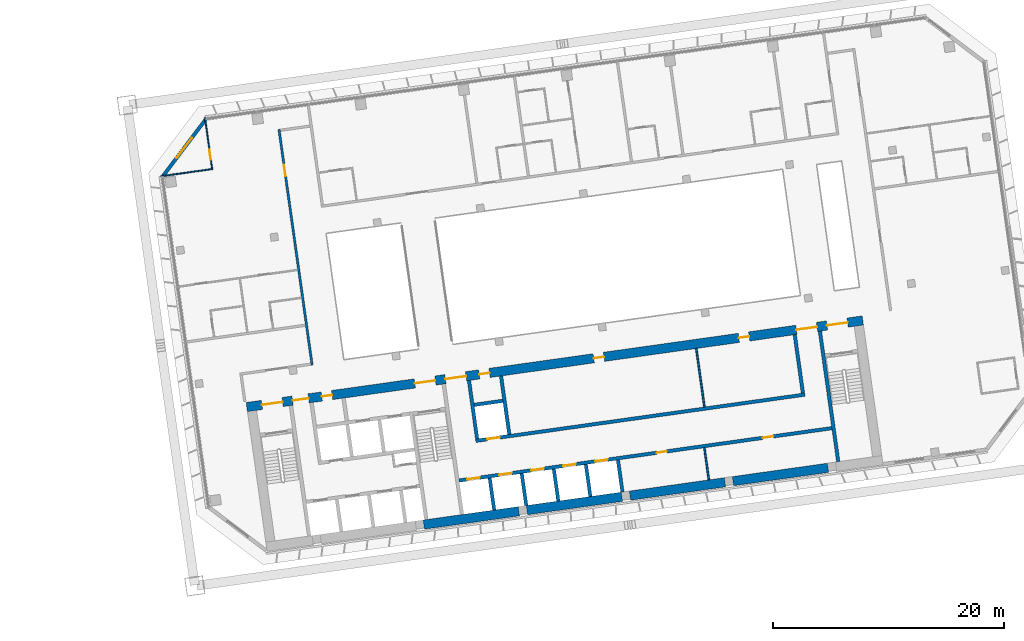
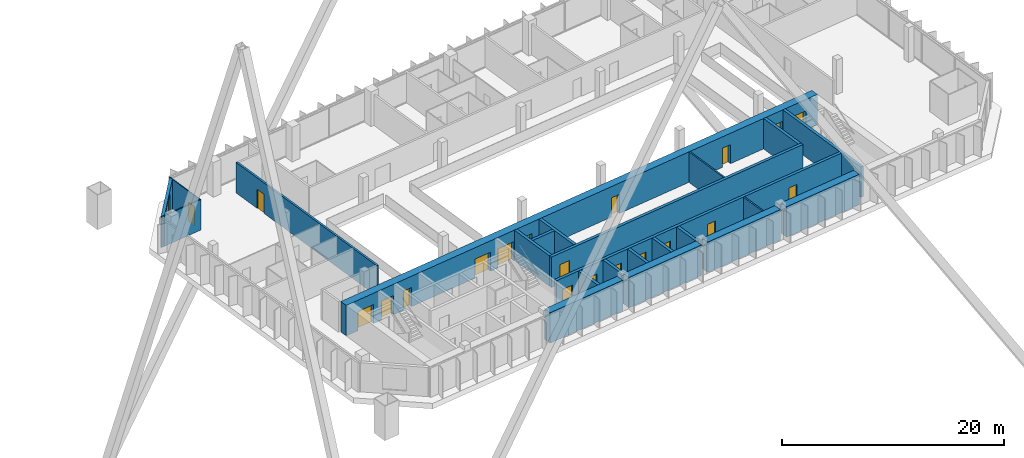
# One storey, part 35 of 41: 23 walls, 20 doors, 1 window, 21 openings.
"""IFC4 building model written with IfcOpenShell, lengths in metres."""

from ifc_helpers import new_model, si_unit, direction, frame, frame_2d, origin, place, context, subcontext, project, spatial, rectangle, extrude, material, layer, layer_set, type_object, element, fill, save


model = new_model("IFC4")

# Units and contexts
model_context = context("Model", 3, precision=1e-05, world=origin(), true_north=direction((0.0, 1.0)))
body_context = subcontext(model_context, "Body", "Model", "MODEL_VIEW")
ifc_project = project(units=[si_unit("LENGTHUNIT", "METRE"), si_unit("AREAUNIT", "SQUARE_METRE"), si_unit("VOLUMEUNIT", "CUBIC_METRE"), si_unit("PLANEANGLEUNIT", "RADIAN"), si_unit("MASSUNIT", "GRAM", prefix="KILO")], contexts=[model_context])

# Site, building, storey
site_placement = place(None, origin())
site = spatial("IfcSite", under=ifc_project, at=site_placement, CompositionType="ELEMENT")
building_placement = place(site_placement, origin())
building = spatial("IfcBuilding", under=site, at=building_placement, Name="Mirante Cascada Hotel Towers", CompositionType="ELEMENT")
storey_placement = place(building_placement, frame((0.0, 0.0, 125.3)))
storey = spatial("IfcBuildingStorey", under=building, at=storey_placement, Name="L28", CompositionType="ELEMENT", Elevation=125.3)

# Wall, opening, door
ifc_material_1 = material(Name="Fire-rated plasterboard on metal studs")
ifc_layer_1 = layer(ifc_material_1, 0.2)
ifc_layer_set_1 = layer_set([ifc_layer_1], Name="Compartment wall 200 EI 120")
wall_type_1 = type_object("IfcWallType", Name="Compartment wall 200 EI 120", PredefinedType="PARTITIONING", material=ifc_layer_set_1)
wall_1_placement = place(storey_placement, frame((38.216, 16.4227, 0.0), z_axis=(0.0, 0.0, 1.0), x_axis=(0.1391749, -0.9902678, 0.0)))
wall_1 = element("IfcWall", 1, at=wall_1_placement, inside=storey, type_object=wall_type_1, Name="Wall 2-L28-28", PredefinedType="PARTITIONING", context=body_context, shape_type="SweptSolid", body=[
    extrude(rectangle(XDim=20.6, YDim=0.2, at=frame_2d((10.3, 0.0))), origin(), (0.0, 0.0, 1.0), 3.35),
])
opening_1_placement = place(wall_1_placement, frame((3.1, 0.0, 0.0)))
opening_1 = element("IfcOpeningElement", 2, at=opening_1_placement, cuts=wall_1, Name="Opening D2-L28-21", PredefinedType="OPENING", context=body_context, shape_type="SweptSolid", body=[
    extrude(rectangle(XDim=1.0, YDim=2.1, at=frame_2d((0.5, 1.05))), frame((0.0, 0.1, 0.0), z_axis=(0.0, -1.0, 0.0), x_axis=(1.0, 0.0, 0.0)), (0.0, 0.0, 1.0), 0.2),
])
ifc_material_2 = material(Name="Fire-rated timber door leaf", Category="wood")
door_type_1 = type_object("IfcDoorType", Name="Entrance door DG1 1000x2100 EI 60", OperationType="SINGLE_SWING_LEFT", PredefinedType="DOOR", material=ifc_material_2)
door_1_placement = place(opening_1_placement, frame((1.0, 0.0, 0.0), z_axis=(0.0, 0.0, 1.0), x_axis=(-1.0, 0.0, 0.0)))
door_1 = element("IfcDoor", 3, at=door_1_placement, inside=storey, type_object=door_type_1, Name="Door D2-L28-21", OperationType="SINGLE_SWING_RIGHT", OverallHeight=2.1, OverallWidth=1.0, PredefinedType="DOOR", context=body_context, shape_type="SweptSolid", body=[
    extrude(rectangle(XDim=1.0, YDim=2.1, at=frame_2d((0.5, 1.05))), frame((0.0, 0.025, 0.0), z_axis=(0.0, -1.0, 0.0), x_axis=(1.0, 0.0, 0.0)), (0.0, 0.0, 1.0), 0.05),
])
fill(opening_1, door_1)

# Walls
ifc_material_3 = material(Name="Masonry block", Category="masonry")
ifc_layer_2 = layer(ifc_material_3, 0.15)
ifc_layer_set_2 = layer_set([ifc_layer_2], Name="Core room partition 150 block EI 30")
wall_type_2 = type_object("IfcWallType", Name="Core room partition 150 block EI 30", PredefinedType="PARTITIONING", material=ifc_layer_set_2)
wall_2_placement = place(storey_placement, frame((75.3976, -13.8977, 0.0), z_axis=(0.0, 0.0, 1.0), x_axis=(-0.139141, 0.9902726, 0.0)))
element("IfcWall", 4, at=wall_2_placement, inside=storey, type_object=wall_type_2, Name="Core wall partition T2 L28 4", PredefinedType="PARTITIONING", context=body_context, shape_type="SweptSolid", body=[
    extrude(rectangle(XDim=2.8, YDim=0.15, at=frame_2d((1.4, 0.0))), origin(), (0.0, 0.0, 1.0), 3.35),
])
wall_3_placement = place(storey_placement, frame((75.016, -7.5894, 0.0), z_axis=(0.0, 0.0, 1.0), x_axis=(-0.1391755, 0.9902677, 0.0)))
element("IfcWall", 5, at=wall_3_placement, inside=storey, type_object=wall_type_2, Name="Core wall partition T2 L28 5", PredefinedType="PARTITIONING", context=body_context, shape_type="SweptSolid", body=[
    extrude(rectangle(XDim=5.1, YDim=0.15, at=frame_2d((2.55, 0.0))), origin(), (0.0, 0.0, 1.0), 3.35),
])
ifc_material_4 = material(Name="Plasterboard on metal studs")
ifc_layer_3 = layer(ifc_material_4, 0.1)
ifc_layer_set_3 = layer_set([ifc_layer_3], Name="Partition 100")
wall_type_3 = type_object("IfcWallType", Name="Partition 100", PredefinedType="PARTITIONING", material=ifc_layer_set_3)
wall_4_placement = place(storey_placement, frame((32.4877, 12.9921, 0.0), z_axis=(0.0, 0.0, 1.0), x_axis=(-0.9902691, -0.1391656, 0.0)))
element("IfcWall", 6, at=wall_4_placement, inside=storey, type_object=wall_type_3, Name="Wall 2-L28-18", PredefinedType="PARTITIONING", context=body_context, shape_type="SweptSolid", body=[
    extrude(rectangle(XDim=4.55, YDim=0.1, at=frame_2d((2.275, 0.0))), origin(), (0.0, 0.0, 1.0), 3.35),
])

# Wall, opening, door
wall_5_placement = place(storey_placement, frame((32.4312, 13.0347, 0.0), z_axis=(0.0, 0.0, 1.0), x_axis=(-0.1391684, 0.9902687, 0.0)))
wall_5 = element("IfcWall", 7, at=wall_5_placement, inside=storey, type_object=wall_type_3, Name="Wall 2-L28-25", PredefinedType="PARTITIONING", context=body_context, shape_type="SweptSolid", body=[
    extrude(rectangle(XDim=4.45, YDim=0.1, at=frame_2d((2.225, 0.0))), origin(), (0.0, 0.0, 1.0), 3.35),
])
opening_2_placement = place(wall_5_placement, frame((0.75, 0.0, 0.0)))
opening_2 = element("IfcOpeningElement", 8, at=opening_2_placement, cuts=wall_5, Name="Opening D2-L28-19", PredefinedType="OPENING", context=body_context, shape_type="SweptSolid", body=[
    extrude(rectangle(XDim=0.9, YDim=2.1, at=frame_2d((0.45, 1.05))), frame((0.0, 0.05, 0.0), z_axis=(0.0, -1.0, 0.0), x_axis=(1.0, 0.0, 0.0)), (0.0, 0.0, 1.0), 0.1),
])
ifc_material_5 = material(Name="Timber door leaf", Category="wood")
door_type_2 = type_object("IfcDoorType", Name="Room door DG3 900x2100", OperationType="SINGLE_SWING_LEFT", PredefinedType="DOOR", material=ifc_material_5)
door_2_placement = place(opening_2_placement, frame((0.9, 0.0, 0.0), z_axis=(0.0, 0.0, 1.0), x_axis=(-1.0, 0.0, 0.0)))
door_2 = element("IfcDoor", 9, at=door_2_placement, inside=storey, type_object=door_type_2, Name="Door D2-L28-19", OperationType="SINGLE_SWING_RIGHT", OverallHeight=2.1, OverallWidth=0.9, PredefinedType="DOOR", context=body_context, shape_type="SweptSolid", body=[
    extrude(rectangle(XDim=0.9, YDim=2.1, at=frame_2d((0.45, 1.05))), frame((0.0, 0.025, 0.0), z_axis=(0.0, -1.0, 0.0), x_axis=(1.0, 0.0, 0.0)), (0.0, 0.0, 1.0), 0.05),
])
fill(opening_2, door_2)

# Wall, opening, window
ifc_material_6 = material(Name="Precast concrete C40/50", Category="concrete")
ifc_layer_4 = layer(ifc_material_6, 0.3)
ifc_layer_set_4 = layer_set([ifc_layer_4], Name="Precast concrete C40/50 cladding wall 300")
wall_type_4 = type_object("IfcWallType", Name="Precast concrete C40/50 cladding wall 300", PredefinedType="STANDARD", material=ifc_layer_set_4)
wall_6_placement = place(storey_placement, frame((31.857, 17.252, 0.0), z_axis=(0.0, 0.0, 1.0), x_axis=(-0.6018141, -0.7986362, 0.0)))
wall_6 = element("IfcWall", 10, at=wall_6_placement, inside=storey, type_object=wall_type_4, Name="Corner cladding wall T2 L28 front inner", PredefinedType="STANDARD", context=body_context, shape_type="SweptSolid", body=[
    extrude(rectangle(XDim=6.1157, YDim=0.3, at=frame_2d((3.0578, 0.0))), origin(), (0.0, 0.0, 1.0), 3.35),
])
opening_3_placement = place(wall_6_placement, frame((1.9578, 0.0, 0.6)))
opening_3 = element("IfcOpeningElement", 11, at=opening_3_placement, cuts=wall_6, Name="Opening W2-28-05", PredefinedType="OPENING", context=body_context, shape_type="SweptSolid", body=[
    extrude(rectangle(XDim=2.2, YDim=2.4, at=frame_2d((1.1, 1.2))), frame((0.0, 0.15, 0.0), z_axis=(0.0, -1.0, 0.0), x_axis=(1.0, 0.0, 0.0)), (0.0, 0.0, 1.0), 0.3),
])
ifc_material_7 = material(Name="Aluminium frame with clear double glazing", Category="aluminium")
window_type = type_object("IfcWindowType", Name="Corner suite window 2200x2400", PartitioningType="DOUBLE_PANEL_VERTICAL", PredefinedType="WINDOW", material=ifc_material_7)
window_placement = place(opening_3_placement, origin())
window = element("IfcWindow", 12, at=window_placement, inside=storey, type_object=window_type, Name="Window W2-28-05", OverallHeight=2.4, OverallWidth=2.2, PartitioningType="SINGLE_PANEL", PredefinedType="WINDOW", context=body_context, shape_type="SweptSolid", body=[
    extrude(rectangle(XDim=2.2, YDim=2.4, at=frame_2d((1.1, 1.2))), frame((0.0, 0.03, 0.0), z_axis=(0.0, -1.0, 0.0), x_axis=(1.0, 0.0, 0.0)), (0.0, 0.0, 1.0), 0.06),
])
fill(opening_3, window)

# Wall
ifc_material_8 = material(Name="Concrete C50/60", Category="concrete")
ifc_layer_5 = layer(ifc_material_8, 0.3)
ifc_layer_set_5 = layer_set([ifc_layer_5], Name="RC core wall 300 C50/60")
wall_type_5 = type_object("IfcWallType", Name="RC core wall 300 C50/60", PredefinedType="SHEAR", material=ifc_layer_set_5)
wall_7_placement = place(storey_placement, frame((86.5877, -12.325, 0.0), z_axis=(0.0, 0.0, 1.0), x_axis=(-0.1391749, 0.9902678, 0.0)))
element("IfcWall", 13, at=wall_7_placement, inside=storey, type_object=wall_type_5, Name="Core wall T2:L28:8", PredefinedType="SHEAR", context=body_context, shape_type="SweptSolid", body=[
    extrude(rectangle(XDim=11.4, YDim=0.3, at=frame_2d((5.7, 0.0))), origin(), (0.0, 0.0, 1.0), 3.35),
])

# Wall, openings, doors
wall_8_placement = place(storey_placement, frame((53.7953, -13.9547, 0.0), z_axis=(0.0, 0.0, 1.0), x_axis=(0.990268, 0.1391733, 0.0)))
wall_8 = element("IfcWall", 14, at=wall_8_placement, inside=storey, type_object=wall_type_5, Name="Core wall T2:L28:24", PredefinedType="SHEAR", context=body_context, shape_type="SweptSolid", body=[
    extrude(rectangle(XDim=32.5501, YDim=0.3, at=frame_2d((16.275, 0.0))), origin(), (0.0, 0.0, 1.0), 3.35),
])
opening_4_placement = place(wall_8_placement, frame((0.7, 0.0, 0.0)))
opening_4 = element("IfcOpeningElement", 15, at=opening_4_placement, cuts=wall_8, Name="Opening LD", PredefinedType="OPENING", context=body_context, shape_type="SweptSolid", body=[
    extrude(rectangle(XDim=1.1, YDim=2.1, at=frame_2d((0.55, 1.05))), frame((0.0, 0.15, 0.0), z_axis=(0.0, -1.0, 0.0), x_axis=(1.0, 0.0, 0.0)), (0.0, 0.0, 1.0), 0.3),
])
opening_5_placement = place(wall_8_placement, frame((3.5, 0.0, 0.0)))
opening_5 = element("IfcOpeningElement", 16, at=opening_5_placement, cuts=wall_8, Name="Opening LD", PredefinedType="OPENING", context=body_context, shape_type="SweptSolid", body=[
    extrude(rectangle(XDim=1.1, YDim=2.1, at=frame_2d((0.55, 1.05))), frame((0.0, 0.15, 0.0), z_axis=(0.0, -1.0, 0.0), x_axis=(1.0, 0.0, 0.0)), (0.0, 0.0, 1.0), 0.3),
])
opening_6_placement = place(wall_8_placement, frame((6.3, 0.0, 0.0)))
opening_6 = element("IfcOpeningElement", 17, at=opening_6_placement, cuts=wall_8, Name="Opening LD", PredefinedType="OPENING", context=body_context, shape_type="SweptSolid", body=[
    extrude(rectangle(XDim=1.1, YDim=2.1, at=frame_2d((0.55, 1.05))), frame((0.0, 0.15, 0.0), z_axis=(0.0, -1.0, 0.0), x_axis=(1.0, 0.0, 0.0)), (0.0, 0.0, 1.0), 0.3),
])
opening_7_placement = place(wall_8_placement, frame((9.1, 0.0, 0.0)))
opening_7 = element("IfcOpeningElement", 18, at=opening_7_placement, cuts=wall_8, Name="Opening LD", PredefinedType="OPENING", context=body_context, shape_type="SweptSolid", body=[
    extrude(rectangle(XDim=1.1, YDim=2.1, at=frame_2d((0.55, 1.05))), frame((0.0, 0.15, 0.0), z_axis=(0.0, -1.0, 0.0), x_axis=(1.0, 0.0, 0.0)), (0.0, 0.0, 1.0), 0.3),
])
opening_8_placement = place(wall_8_placement, frame((11.9, 0.0, 0.0)))
opening_8 = element("IfcOpeningElement", 19, at=opening_8_placement, cuts=wall_8, Name="Opening LD", PredefinedType="OPENING", context=body_context, shape_type="SweptSolid", body=[
    extrude(rectangle(XDim=1.1, YDim=2.1, at=frame_2d((0.55, 1.05))), frame((0.0, 0.15, 0.0), z_axis=(0.0, -1.0, 0.0), x_axis=(1.0, 0.0, 0.0)), (0.0, 0.0, 1.0), 0.3),
])
opening_9_placement = place(wall_8_placement, frame((17.25, 0.0, 0.0)))
opening_9 = element("IfcOpeningElement", 20, at=opening_9_placement, cuts=wall_8, Name="Opening D2-28-C25", PredefinedType="OPENING", context=body_context, shape_type="SweptSolid", body=[
    extrude(rectangle(XDim=0.9, YDim=2.1, at=frame_2d((0.45, 1.05))), frame((0.0, 0.15, 0.0), z_axis=(0.0, -1.0, 0.0), x_axis=(1.0, 0.0, 0.0)), (0.0, 0.0, 1.0), 0.3),
])
opening_10_placement = place(wall_8_placement, frame((26.525, 0.0, 0.0)))
opening_10 = element("IfcOpeningElement", 21, at=opening_10_placement, cuts=wall_8, Name="Opening D2-28-C26", PredefinedType="OPENING", context=body_context, shape_type="SweptSolid", body=[
    extrude(rectangle(XDim=0.9, YDim=2.1, at=frame_2d((0.45, 1.05))), frame((0.0, 0.15, 0.0), z_axis=(0.0, -1.0, 0.0), x_axis=(1.0, 0.0, 0.0)), (0.0, 0.0, 1.0), 0.3),
])
ifc_material_9 = material(Name="Hollow metal fire door leaf")
door_type_3 = type_object("IfcDoorType", Name="Fire door 900x2100 FD60", OperationType="NOTDEFINED", PredefinedType="DOOR", material=ifc_material_9)
door_3_placement = place(opening_9_placement, frame((0.9, 0.0, 0.0), z_axis=(0.0, 0.0, 1.0), x_axis=(-1.0, 0.0, 0.0)))
door_3 = element("IfcDoor", 22, at=door_3_placement, inside=storey, type_object=door_type_3, Name="Room door T2 L28 25", OperationType="SINGLE_SWING_RIGHT", OverallHeight=2.1, OverallWidth=0.9, PredefinedType="DOOR", context=body_context, shape_type="SweptSolid", body=[
    extrude(rectangle(XDim=0.9, YDim=2.1, at=frame_2d((0.45, 1.05))), frame((0.0, 0.025, 0.0), z_axis=(0.0, -1.0, 0.0), x_axis=(1.0, 0.0, 0.0)), (0.0, 0.0, 1.0), 0.05),
])
fill(opening_9, door_3)
door_4_placement = place(opening_10_placement, frame((0.9, 0.0, 0.0), z_axis=(0.0, 0.0, 1.0), x_axis=(-1.0, 0.0, 0.0)))
door_4 = element("IfcDoor", 23, at=door_4_placement, inside=storey, type_object=door_type_3, Name="Room door T2 L28 26", OperationType="SINGLE_SWING_RIGHT", OverallHeight=2.1, OverallWidth=0.9, PredefinedType="DOOR", context=body_context, shape_type="SweptSolid", body=[
    extrude(rectangle(XDim=0.9, YDim=2.1, at=frame_2d((0.45, 1.05))), frame((0.0, 0.025, 0.0), z_axis=(0.0, -1.0, 0.0), x_axis=(1.0, 0.0, 0.0)), (0.0, 0.0, 1.0), 0.05),
])
fill(opening_10, door_4)
ifc_material_10 = material(Name="Stainless steel", Category="steel")
door_type_4 = type_object("IfcDoorType", Name="Lift landing door 1100x2100 EI 120", OperationType="DOUBLE_DOOR_SLIDING", PredefinedType="DOOR", material=ifc_material_10)
door_5_placement = place(opening_4_placement, origin())
door_5 = element("IfcDoor", 24, at=door_5_placement, inside=storey, type_object=door_type_4, Name="Lift landing door LR2-1 L28", OperationType="DOUBLE_DOOR_SLIDING", OverallHeight=2.1, OverallWidth=1.1, PredefinedType="DOOR", context=body_context, shape_type="SweptSolid", body=[
    extrude(rectangle(XDim=0.545, YDim=2.1, at=frame_2d((0.2725, 1.05))), frame((0.0, 0.025, 0.0), z_axis=(0.0, -1.0, 0.0), x_axis=(1.0, 0.0, 0.0)), (0.0, 0.0, 1.0), 0.05),
    extrude(rectangle(XDim=0.545, YDim=2.1, at=frame_2d((0.8275, 1.05))), frame((0.0, 0.025, 0.0), z_axis=(0.0, -1.0, 0.0), x_axis=(1.0, 0.0, 0.0)), (0.0, 0.0, 1.0), 0.05),
])
fill(opening_4, door_5)
door_6_placement = place(opening_5_placement, origin())
door_6 = element("IfcDoor", 25, at=door_6_placement, inside=storey, type_object=door_type_4, Name="Lift landing door LR2-2 L28", OperationType="DOUBLE_DOOR_SLIDING", OverallHeight=2.1, OverallWidth=1.1, PredefinedType="DOOR", context=body_context, shape_type="SweptSolid", body=[
    extrude(rectangle(XDim=0.545, YDim=2.1, at=frame_2d((0.2725, 1.05))), frame((0.0, 0.025, 0.0), z_axis=(0.0, -1.0, 0.0), x_axis=(1.0, 0.0, 0.0)), (0.0, 0.0, 1.0), 0.05),
    extrude(rectangle(XDim=0.545, YDim=2.1, at=frame_2d((0.8275, 1.05))), frame((0.0, 0.025, 0.0), z_axis=(0.0, -1.0, 0.0), x_axis=(1.0, 0.0, 0.0)), (0.0, 0.0, 1.0), 0.05),
])
fill(opening_5, door_6)
door_7_placement = place(opening_6_placement, origin())
door_7 = element("IfcDoor", 26, at=door_7_placement, inside=storey, type_object=door_type_4, Name="Lift landing door SV2-1 L28", OperationType="DOUBLE_DOOR_SLIDING", OverallHeight=2.1, OverallWidth=1.1, PredefinedType="DOOR", context=body_context, shape_type="SweptSolid", body=[
    extrude(rectangle(XDim=0.545, YDim=2.1, at=frame_2d((0.2725, 1.05))), frame((0.0, 0.025, 0.0), z_axis=(0.0, -1.0, 0.0), x_axis=(1.0, 0.0, 0.0)), (0.0, 0.0, 1.0), 0.05),
    extrude(rectangle(XDim=0.545, YDim=2.1, at=frame_2d((0.8275, 1.05))), frame((0.0, 0.025, 0.0), z_axis=(0.0, -1.0, 0.0), x_axis=(1.0, 0.0, 0.0)), (0.0, 0.0, 1.0), 0.05),
])
fill(opening_6, door_7)
door_8_placement = place(opening_7_placement, origin())
door_8 = element("IfcDoor", 27, at=door_8_placement, inside=storey, type_object=door_type_4, Name="Lift landing door SV2-2 L28", OperationType="DOUBLE_DOOR_SLIDING", OverallHeight=2.1, OverallWidth=1.1, PredefinedType="DOOR", context=body_context, shape_type="SweptSolid", body=[
    extrude(rectangle(XDim=0.545, YDim=2.1, at=frame_2d((0.2725, 1.05))), frame((0.0, 0.025, 0.0), z_axis=(0.0, -1.0, 0.0), x_axis=(1.0, 0.0, 0.0)), (0.0, 0.0, 1.0), 0.05),
    extrude(rectangle(XDim=0.545, YDim=2.1, at=frame_2d((0.8275, 1.05))), frame((0.0, 0.025, 0.0), z_axis=(0.0, -1.0, 0.0), x_axis=(1.0, 0.0, 0.0)), (0.0, 0.0, 1.0), 0.05),
])
fill(opening_7, door_8)
door_9_placement = place(opening_8_placement, origin())
door_9 = element("IfcDoor", 28, at=door_9_placement, inside=storey, type_object=door_type_4, Name="Lift landing door SV2-3 L28", OperationType="DOUBLE_DOOR_SLIDING", OverallHeight=2.1, OverallWidth=1.1, PredefinedType="DOOR", context=body_context, shape_type="SweptSolid", body=[
    extrude(rectangle(XDim=0.545, YDim=2.1, at=frame_2d((0.2725, 1.05))), frame((0.0, 0.025, 0.0), z_axis=(0.0, -1.0, 0.0), x_axis=(1.0, 0.0, 0.0)), (0.0, 0.0, 1.0), 0.05),
    extrude(rectangle(XDim=0.545, YDim=2.1, at=frame_2d((0.8275, 1.05))), frame((0.0, 0.025, 0.0), z_axis=(0.0, -1.0, 0.0), x_axis=(1.0, 0.0, 0.0)), (0.0, 0.0, 1.0), 0.05),
])
fill(opening_8, door_9)

# Walls
for number, where, z_axis, x_axis, name in (
    (29, (56.8301, -16.5072, 0.0), (0.0, 0.0, 1.0), (-0.139176, 0.9902677, 0.0), "Core wall T2:L28:25"),
    (30, (59.6029, -16.1175, 0.0), (0.0, 0.0, 1.0), (-0.139176, 0.9902677, 0.0), "Core wall T2:L28:26"),
    (31, (62.3756, -15.7278, 0.0), (0.0, 0.0, 1.0), (-0.139176, 0.9902677, 0.0), "Core wall T2:L28:27"),
    (32, (65.1484, -15.3381, 0.0), (0.0, 0.0, 1.0), (-0.139176, 0.9902677, 0.0), "Core wall T2:L28:28"),
):
    element("IfcWall", number, at=place(storey_placement, frame(where, z_axis=z_axis, x_axis=x_axis)), inside=storey, type_object=wall_type_5, Name=name, PredefinedType="SHEAR", context=body_context, shape_type="SweptSolid", body=[
        extrude(rectangle(XDim=2.8001, YDim=0.3, at=frame_2d((1.4, 0.0))), origin(), (0.0, 0.0, 1.0), 3.35),
    ])
wall_9_placement = place(storey_placement, frame((67.9211, -14.9484, 0.0), z_axis=(0.0, 0.0, 1.0), x_axis=(-0.139181, 0.990267, 0.0)))
element("IfcWall", 33, at=wall_9_placement, inside=storey, type_object=wall_type_5, Name="Core wall T2:L28:29", PredefinedType="SHEAR", context=body_context, shape_type="SweptSolid", body=[
    extrude(rectangle(XDim=2.8, YDim=0.3, at=frame_2d((1.4, 0.0))), origin(), (0.0, 0.0, 1.0), 3.35),
])

# Wall, opening, door
wall_10_placement = place(storey_placement, frame((55.2315, -10.5214, 0.0), z_axis=(0.0, 0.0, 1.0), x_axis=(0.9902682, 0.1391722, 0.0)))
wall_10 = element("IfcWall", 34, at=wall_10_placement, inside=storey, type_object=wall_type_5, Name="Core wall T2:L28:31", PredefinedType="SHEAR", context=body_context, shape_type="SweptSolid", body=[
    extrude(rectangle(XDim=28.75, YDim=0.3, at=frame_2d((14.375, 0.0))), origin(), (0.0, 0.0, 1.0), 3.35),
])
opening_11_placement = place(wall_10_placement, frame((1.0, 0.0, 0.0)))
opening_11 = element("IfcOpeningElement", 35, at=opening_11_placement, cuts=wall_10, Name="Opening LD", PredefinedType="OPENING", context=body_context, shape_type="SweptSolid", body=[
    extrude(rectangle(XDim=1.1, YDim=2.1, at=frame_2d((0.55, 1.05))), frame((0.0, 0.15, 0.0), z_axis=(0.0, -1.0, 0.0), x_axis=(1.0, 0.0, 0.0)), (0.0, 0.0, 1.0), 0.3),
])
door_10_placement = place(opening_11_placement, origin())
door_10 = element("IfcDoor", 36, at=door_10_placement, inside=storey, type_object=door_type_4, Name="Lift landing door LR2-3 L28", OperationType="DOUBLE_DOOR_SLIDING", OverallHeight=2.1, OverallWidth=1.1, PredefinedType="DOOR", context=body_context, shape_type="SweptSolid", body=[
    extrude(rectangle(XDim=0.545, YDim=2.1, at=frame_2d((0.2725, 1.05))), frame((0.0, 0.025, 0.0), z_axis=(0.0, -1.0, 0.0), x_axis=(1.0, 0.0, 0.0)), (0.0, 0.0, 1.0), 0.05),
    extrude(rectangle(XDim=0.545, YDim=2.1, at=frame_2d((0.8275, 1.05))), frame((0.0, 0.025, 0.0), z_axis=(0.0, -1.0, 0.0), x_axis=(1.0, 0.0, 0.0)), (0.0, 0.0, 1.0), 0.05),
])
fill(opening_11, door_10)

# Walls
for number, where, z_axis, x_axis, name in (
    (37, (55.3592, -10.352, 0.0), (0.0, 0.0, 1.0), (-0.1391755, 0.9902677, 0.0), "Core wall T2:L28:32"),
    (38, (83.5323, -6.3925, 0.0), (0.0, 0.0, 1.0), (-0.1391755, 0.9902677, 0.0), "Core wall T2:L28:33"),
    (39, (58.1319, -9.9623, 0.0), (0.0, 0.0, 1.0), (-0.1391755, 0.9902677, 0.0), "Core wall T2:L28:34"),
):
    element("IfcWall", number, at=place(storey_placement, frame(where, z_axis=z_axis, x_axis=x_axis)), inside=storey, type_object=wall_type_5, Name=name, PredefinedType="SHEAR", context=body_context, shape_type="SweptSolid", body=[
        extrude(rectangle(XDim=5.1, YDim=0.3, at=frame_2d((2.55, 0.0))), origin(), (0.0, 0.0, 1.0), 3.35),
    ])
wall_11_placement = place(storey_placement, frame((55.0971, -7.4098, 0.0), z_axis=(0.0, 0.0, 1.0), x_axis=(0.9902701, 0.1391586, 0.0)))
element("IfcWall", 40, at=wall_11_placement, inside=storey, type_object=wall_type_5, Name="Core wall T2:L28:35", PredefinedType="SHEAR", context=body_context, shape_type="SweptSolid", body=[
    extrude(rectangle(XDim=2.5, YDim=0.3, at=frame_2d((1.25, 0.0))), origin(), (0.0, 0.0, 1.0), 3.35),
])
ifc_material_11 = material(Name="Concrete C50/60", Category="concrete")
ifc_layer_6 = layer(ifc_material_11, 0.8)
ifc_layer_set_6 = layer_set([ifc_layer_6], Name="RC core wall 800 C50/60")
wall_type_6 = type_object("IfcWallType", Name="RC core wall 800 C50/60", PredefinedType="SHEAR", material=ifc_layer_set_6)
wall_12_placement = place(storey_placement, frame((50.7461, -17.7661, 0.0), z_axis=(0.0, 0.0, 1.0), x_axis=(0.9902686, 0.1391692, 0.0)))
element("IfcWall", 41, at=wall_12_placement, inside=storey, type_object=wall_type_6, Name="Core wall T2:L28:1.3", PredefinedType="SHEAR", context=body_context, shape_type="SweptSolid", body=[
    extrude(rectangle(XDim=8.3, YDim=0.8, at=frame_2d((4.15, 0.0))), origin(), (0.0, 0.0, 1.0), 3.35),
])
for number, where, z_axis, x_axis, name in (
    (42, (59.6585, -16.5136, 0.0), (0.0, 0.0, 1.0), (0.9902672, 0.1391793, 0.0), "Core wall T2:L28:1.4"),
    (43, (68.5709, -15.261, 0.0), (0.0, 0.0, 1.0), (0.9902689, 0.1391675, 0.0), "Core wall T2:L28:1.5"),
):
    element("IfcWall", number, at=place(storey_placement, frame(where, z_axis=z_axis, x_axis=x_axis)), inside=storey, type_object=wall_type_6, Name=name, PredefinedType="SHEAR", context=body_context, shape_type="SweptSolid", body=[
        extrude(rectangle(XDim=8.3001, YDim=0.8, at=frame_2d((4.15, 0.0))), origin(), (0.0, 0.0, 1.0), 3.35),
    ])
wall_13_placement = place(storey_placement, frame((77.4834, -14.0085, 0.0), z_axis=(0.0, 0.0, 1.0), x_axis=(0.990267, 0.139181, 0.0)))
element("IfcWall", 44, at=wall_13_placement, inside=storey, type_object=wall_type_6, Name="Core wall T2:L28:1.6", PredefinedType="SHEAR", context=body_context, shape_type="SweptSolid", body=[
    extrude(rectangle(XDim=8.3, YDim=0.8, at=frame_2d((4.15, 0.0))), origin(), (0.0, 0.0, 1.0), 3.35),
])

# Wall, openings, doors
wall_14_placement = place(storey_placement, frame((35.432, -7.5985, 0.0), z_axis=(0.0, 0.0, 1.0), x_axis=(0.9902681, 0.1391729, 0.0)))
wall_14 = element("IfcWall", 45, at=wall_14_placement, inside=storey, type_object=wall_type_6, Name="Core wall T2:L28:2", PredefinedType="SHEAR", context=body_context, shape_type="SweptSolid", body=[
    extrude(rectangle(XDim=53.8, YDim=0.8, at=frame_2d((26.9, 0.0))), origin(), (0.0, 0.0, 1.0), 3.35),
])
opening_12_placement = place(wall_14_placement, frame((1.325, 0.0, 0.0)))
opening_12 = element("IfcOpeningElement", 46, at=opening_12_placement, cuts=wall_14, Name="Opening D2-28-C14", PredefinedType="OPENING", context=body_context, shape_type="SweptSolid", body=[
    extrude(rectangle(XDim=1.8, YDim=2.1, at=frame_2d((0.9, 1.05))), frame((0.0, 0.4, 0.0), z_axis=(0.0, -1.0, 0.0), x_axis=(1.0, 0.0, 0.0)), (0.0, 0.0, 1.0), 0.8),
])
opening_13_placement = place(wall_14_placement, frame((14.675, 0.0, 0.0)))
opening_13 = element("IfcOpeningElement", 47, at=opening_13_placement, cuts=wall_14, Name="Opening D2-28-C16", PredefinedType="OPENING", context=body_context, shape_type="SweptSolid", body=[
    extrude(rectangle(XDim=1.8, YDim=2.1, at=frame_2d((0.9, 1.05))), frame((0.0, 0.4, 0.0), z_axis=(0.0, -1.0, 0.0), x_axis=(1.0, 0.0, 0.0)), (0.0, 0.0, 1.0), 0.8),
])
opening_14_placement = place(wall_14_placement, frame((50.675, 0.0, 0.0)))
opening_14 = element("IfcOpeningElement", 48, at=opening_14_placement, cuts=wall_14, Name="Opening D2-28-C18", PredefinedType="OPENING", context=body_context, shape_type="SweptSolid", body=[
    extrude(rectangle(XDim=1.8, YDim=2.1, at=frame_2d((0.9, 1.05))), frame((0.0, 0.4, 0.0), z_axis=(0.0, -1.0, 0.0), x_axis=(1.0, 0.0, 0.0)), (0.0, 0.0, 1.0), 0.8),
])
opening_15_placement = place(wall_14_placement, frame((4.0, 0.0, 0.0)))
opening_15 = element("IfcOpeningElement", 49, at=opening_15_placement, cuts=wall_14, Name="Opening D2-28-C19", PredefinedType="OPENING", context=body_context, shape_type="SweptSolid", body=[
    extrude(rectangle(XDim=1.4, YDim=2.1, at=frame_2d((0.7, 1.05))), frame((0.0, 0.4, 0.0), z_axis=(0.0, -1.0, 0.0), x_axis=(1.0, 0.0, 0.0)), (0.0, 0.0, 1.0), 0.8),
])
opening_16_placement = place(wall_14_placement, frame((17.35, 0.0, 0.0)))
opening_16 = element("IfcOpeningElement", 50, at=opening_16_placement, cuts=wall_14, Name="Opening D2-28-C20", PredefinedType="OPENING", context=body_context, shape_type="SweptSolid", body=[
    extrude(rectangle(XDim=1.8, YDim=2.1, at=frame_2d((0.9, 1.05))), frame((0.0, 0.4, 0.0), z_axis=(0.0, -1.0, 0.0), x_axis=(1.0, 0.0, 0.0)), (0.0, 0.0, 1.0), 0.8),
])
opening_17_placement = place(wall_14_placement, frame((48.0, 0.0, 0.0)))
opening_17 = element("IfcOpeningElement", 51, at=opening_17_placement, cuts=wall_14, Name="Opening D2-28-C21", PredefinedType="OPENING", context=body_context, shape_type="SweptSolid", body=[
    extrude(rectangle(XDim=1.8, YDim=2.1, at=frame_2d((0.9, 1.05))), frame((0.0, 0.4, 0.0), z_axis=(0.0, -1.0, 0.0), x_axis=(1.0, 0.0, 0.0)), (0.0, 0.0, 1.0), 0.8),
])
opening_18_placement = place(wall_14_placement, frame((6.55, 0.0, 0.0)))
opening_18 = element("IfcOpeningElement", 52, at=opening_18_placement, cuts=wall_14, Name="Opening D2-28-C24", PredefinedType="OPENING", context=body_context, shape_type="SweptSolid", body=[
    extrude(rectangle(XDim=0.9, YDim=2.1, at=frame_2d((0.45, 1.05))), frame((0.0, 0.4, 0.0), z_axis=(0.0, -1.0, 0.0), x_axis=(1.0, 0.0, 0.0)), (0.0, 0.0, 1.0), 0.8),
])
opening_19_placement = place(wall_14_placement, frame((20.3, 0.0, 0.0)))
opening_19 = element("IfcOpeningElement", 53, at=opening_19_placement, cuts=wall_14, Name="Opening D2-28-C27", PredefinedType="OPENING", context=body_context, shape_type="SweptSolid", body=[
    extrude(rectangle(XDim=0.9, YDim=2.1, at=frame_2d((0.45, 1.05))), frame((0.0, 0.4, 0.0), z_axis=(0.0, -1.0, 0.0), x_axis=(1.0, 0.0, 0.0)), (0.0, 0.0, 1.0), 0.8),
])
opening_20_placement = place(wall_14_placement, frame((30.3, 0.0, 0.0)))
opening_20 = element("IfcOpeningElement", 54, at=opening_20_placement, cuts=wall_14, Name="Opening D2-28-C28", PredefinedType="OPENING", context=body_context, shape_type="SweptSolid", body=[
    extrude(rectangle(XDim=0.9, YDim=2.1, at=frame_2d((0.45, 1.05))), frame((0.0, 0.4, 0.0), z_axis=(0.0, -1.0, 0.0), x_axis=(1.0, 0.0, 0.0)), (0.0, 0.0, 1.0), 0.8),
])
opening_21_placement = place(wall_14_placement, frame((42.975, 0.0, 0.0)))
opening_21 = element("IfcOpeningElement", 55, at=opening_21_placement, cuts=wall_14, Name="Opening D2-28-C29", PredefinedType="OPENING", context=body_context, shape_type="SweptSolid", body=[
    extrude(rectangle(XDim=0.9, YDim=2.1, at=frame_2d((0.45, 1.05))), frame((0.0, 0.4, 0.0), z_axis=(0.0, -1.0, 0.0), x_axis=(1.0, 0.0, 0.0)), (0.0, 0.0, 1.0), 0.8),
])
ifc_material_12 = material(Name="Hollow metal fire door leaf")
door_type_5 = type_object("IfcDoorType", Name="Double fire door 1400x2100 FD60", OperationType="DOUBLE_DOOR_SINGLE_SWING", PredefinedType="DOOR", material=ifc_material_12)
door_11_placement = place(opening_15_placement, origin())
door_11 = element("IfcDoor", 56, at=door_11_placement, inside=storey, type_object=door_type_5, Name="Exit door to gallery T2 L28 19", OperationType="DOUBLE_DOOR_SINGLE_SWING", OverallHeight=2.1, OverallWidth=1.4, PredefinedType="DOOR", context=body_context, shape_type="SweptSolid", body=[
    extrude(rectangle(XDim=0.695, YDim=2.1, at=frame_2d((0.3475, 1.05))), frame((0.0, 0.025, 0.0), z_axis=(0.0, -1.0, 0.0), x_axis=(1.0, 0.0, 0.0)), (0.0, 0.0, 1.0), 0.05),
    extrude(rectangle(XDim=0.695, YDim=2.1, at=frame_2d((1.0525, 1.05))), frame((0.0, 0.025, 0.0), z_axis=(0.0, -1.0, 0.0), x_axis=(1.0, 0.0, 0.0)), (0.0, 0.0, 1.0), 0.05),
])
fill(opening_15, door_11)
ifc_material_13 = material(Name="Hollow metal fire door leaf")
door_type_6 = type_object("IfcDoorType", Name="Double fire door 1800x2100 FD60", OperationType="DOUBLE_DOOR_SINGLE_SWING", PredefinedType="DOOR", material=ifc_material_13)
door_12_placement = place(opening_12_placement, frame((1.8, 0.0, 0.0), z_axis=(0.0, 0.0, 1.0), x_axis=(-1.0, 0.0, 0.0)))
door_12 = element("IfcDoor", 57, at=door_12_placement, inside=storey, type_object=door_type_6, Name="Exit door to gallery T2 L28 14", OperationType="DOUBLE_DOOR_SINGLE_SWING", OverallHeight=2.1, OverallWidth=1.8, PredefinedType="DOOR", context=body_context, shape_type="SweptSolid", body=[
    extrude(rectangle(XDim=0.895, YDim=2.1, at=frame_2d((0.4475, 1.05))), frame((0.0, 0.025, 0.0), z_axis=(0.0, -1.0, 0.0), x_axis=(1.0, 0.0, 0.0)), (0.0, 0.0, 1.0), 0.05),
    extrude(rectangle(XDim=0.895, YDim=2.1, at=frame_2d((1.3525, 1.05))), frame((0.0, 0.025, 0.0), z_axis=(0.0, -1.0, 0.0), x_axis=(1.0, 0.0, 0.0)), (0.0, 0.0, 1.0), 0.05),
])
fill(opening_12, door_12)
door_13_placement = place(opening_13_placement, frame((1.8, 0.0, 0.0), z_axis=(0.0, 0.0, 1.0), x_axis=(-1.0, 0.0, 0.0)))
door_13 = element("IfcDoor", 58, at=door_13_placement, inside=storey, type_object=door_type_6, Name="Exit door to gallery T2 L28 16", OperationType="DOUBLE_DOOR_SINGLE_SWING", OverallHeight=2.1, OverallWidth=1.8, PredefinedType="DOOR", context=body_context, shape_type="SweptSolid", body=[
    extrude(rectangle(XDim=0.895, YDim=2.1, at=frame_2d((0.4475, 1.05))), frame((0.0, 0.025, 0.0), z_axis=(0.0, -1.0, 0.0), x_axis=(1.0, 0.0, 0.0)), (0.0, 0.0, 1.0), 0.05),
    extrude(rectangle(XDim=0.895, YDim=2.1, at=frame_2d((1.3525, 1.05))), frame((0.0, 0.025, 0.0), z_axis=(0.0, -1.0, 0.0), x_axis=(1.0, 0.0, 0.0)), (0.0, 0.0, 1.0), 0.05),
])
fill(opening_13, door_13)
door_14_placement = place(opening_14_placement, frame((1.8, 0.0, 0.0), z_axis=(0.0, 0.0, 1.0), x_axis=(-1.0, 0.0, 0.0)))
door_14 = element("IfcDoor", 59, at=door_14_placement, inside=storey, type_object=door_type_6, Name="Exit door to gallery T2 L28 18", OperationType="DOUBLE_DOOR_SINGLE_SWING", OverallHeight=2.1, OverallWidth=1.8, PredefinedType="DOOR", context=body_context, shape_type="SweptSolid", body=[
    extrude(rectangle(XDim=0.895, YDim=2.1, at=frame_2d((0.4475, 1.05))), frame((0.0, 0.025, 0.0), z_axis=(0.0, -1.0, 0.0), x_axis=(1.0, 0.0, 0.0)), (0.0, 0.0, 1.0), 0.05),
    extrude(rectangle(XDim=0.895, YDim=2.1, at=frame_2d((1.3525, 1.05))), frame((0.0, 0.025, 0.0), z_axis=(0.0, -1.0, 0.0), x_axis=(1.0, 0.0, 0.0)), (0.0, 0.0, 1.0), 0.05),
])
fill(opening_14, door_14)
door_15_placement = place(opening_16_placement, origin())
door_15 = element("IfcDoor", 60, at=door_15_placement, inside=storey, type_object=door_type_6, Name="Exit door to gallery T2 L28 20", OperationType="DOUBLE_DOOR_SINGLE_SWING", OverallHeight=2.1, OverallWidth=1.8, PredefinedType="DOOR", context=body_context, shape_type="SweptSolid", body=[
    extrude(rectangle(XDim=0.895, YDim=2.1, at=frame_2d((0.4475, 1.05))), frame((0.0, 0.025, 0.0), z_axis=(0.0, -1.0, 0.0), x_axis=(1.0, 0.0, 0.0)), (0.0, 0.0, 1.0), 0.05),
    extrude(rectangle(XDim=0.895, YDim=2.1, at=frame_2d((1.3525, 1.05))), frame((0.0, 0.025, 0.0), z_axis=(0.0, -1.0, 0.0), x_axis=(1.0, 0.0, 0.0)), (0.0, 0.0, 1.0), 0.05),
])
fill(opening_16, door_15)
door_16_placement = place(opening_17_placement, origin())
door_16 = element("IfcDoor", 61, at=door_16_placement, inside=storey, type_object=door_type_6, Name="Exit door to gallery T2 L28 21", OperationType="DOUBLE_DOOR_SINGLE_SWING", OverallHeight=2.1, OverallWidth=1.8, PredefinedType="DOOR", context=body_context, shape_type="SweptSolid", body=[
    extrude(rectangle(XDim=0.895, YDim=2.1, at=frame_2d((0.4475, 1.05))), frame((0.0, 0.025, 0.0), z_axis=(0.0, -1.0, 0.0), x_axis=(1.0, 0.0, 0.0)), (0.0, 0.0, 1.0), 0.05),
    extrude(rectangle(XDim=0.895, YDim=2.1, at=frame_2d((1.3525, 1.05))), frame((0.0, 0.025, 0.0), z_axis=(0.0, -1.0, 0.0), x_axis=(1.0, 0.0, 0.0)), (0.0, 0.0, 1.0), 0.05),
])
fill(opening_17, door_16)
door_17_placement = place(opening_18_placement, frame((0.9, 0.0, 0.0), z_axis=(0.0, 0.0, 1.0), x_axis=(-1.0, 0.0, 0.0)))
door_17 = element("IfcDoor", 62, at=door_17_placement, inside=storey, type_object=door_type_3, Name="Room door T2 L28 24", OperationType="SINGLE_SWING_LEFT", OverallHeight=2.1, OverallWidth=0.9, PredefinedType="DOOR", context=body_context, shape_type="SweptSolid", body=[
    extrude(rectangle(XDim=0.9, YDim=2.1, at=frame_2d((0.45, 1.05))), frame((0.0, 0.025, 0.0), z_axis=(0.0, -1.0, 0.0), x_axis=(1.0, 0.0, 0.0)), (0.0, 0.0, 1.0), 0.05),
])
fill(opening_18, door_17)
door_18_placement = place(opening_19_placement, frame((0.9, 0.0, 0.0), z_axis=(0.0, 0.0, 1.0), x_axis=(-1.0, 0.0, 0.0)))
door_18 = element("IfcDoor", 63, at=door_18_placement, inside=storey, type_object=door_type_3, Name="Room door T2 L28 27", OperationType="SINGLE_SWING_LEFT", OverallHeight=2.1, OverallWidth=0.9, PredefinedType="DOOR", context=body_context, shape_type="SweptSolid", body=[
    extrude(rectangle(XDim=0.9, YDim=2.1, at=frame_2d((0.45, 1.05))), frame((0.0, 0.025, 0.0), z_axis=(0.0, -1.0, 0.0), x_axis=(1.0, 0.0, 0.0)), (0.0, 0.0, 1.0), 0.05),
])
fill(opening_19, door_18)
door_19_placement = place(opening_20_placement, frame((0.9, 0.0, 0.0), z_axis=(0.0, 0.0, 1.0), x_axis=(-1.0, 0.0, 0.0)))
door_19 = element("IfcDoor", 64, at=door_19_placement, inside=storey, type_object=door_type_3, Name="Room door T2 L28 28", OperationType="SINGLE_SWING_RIGHT", OverallHeight=2.1, OverallWidth=0.9, PredefinedType="DOOR", context=body_context, shape_type="SweptSolid", body=[
    extrude(rectangle(XDim=0.9, YDim=2.1, at=frame_2d((0.45, 1.05))), frame((0.0, 0.025, 0.0), z_axis=(0.0, -1.0, 0.0), x_axis=(1.0, 0.0, 0.0)), (0.0, 0.0, 1.0), 0.05),
])
fill(opening_20, door_19)
door_20_placement = place(opening_21_placement, frame((0.9, 0.0, 0.0), z_axis=(0.0, 0.0, 1.0), x_axis=(-1.0, 0.0, 0.0)))
door_20 = element("IfcDoor", 65, at=door_20_placement, inside=storey, type_object=door_type_3, Name="Room door T2 L28 29", OperationType="SINGLE_SWING_RIGHT", OverallHeight=2.1, OverallWidth=0.9, PredefinedType="DOOR", context=body_context, shape_type="SweptSolid", body=[
    extrude(rectangle(XDim=0.9, YDim=2.1, at=frame_2d((0.45, 1.05))), frame((0.0, 0.025, 0.0), z_axis=(0.0, -1.0, 0.0), x_axis=(1.0, 0.0, 0.0)), (0.0, 0.0, 1.0), 0.05),
])
fill(opening_21, door_20)

save(model, "model.ifc")
